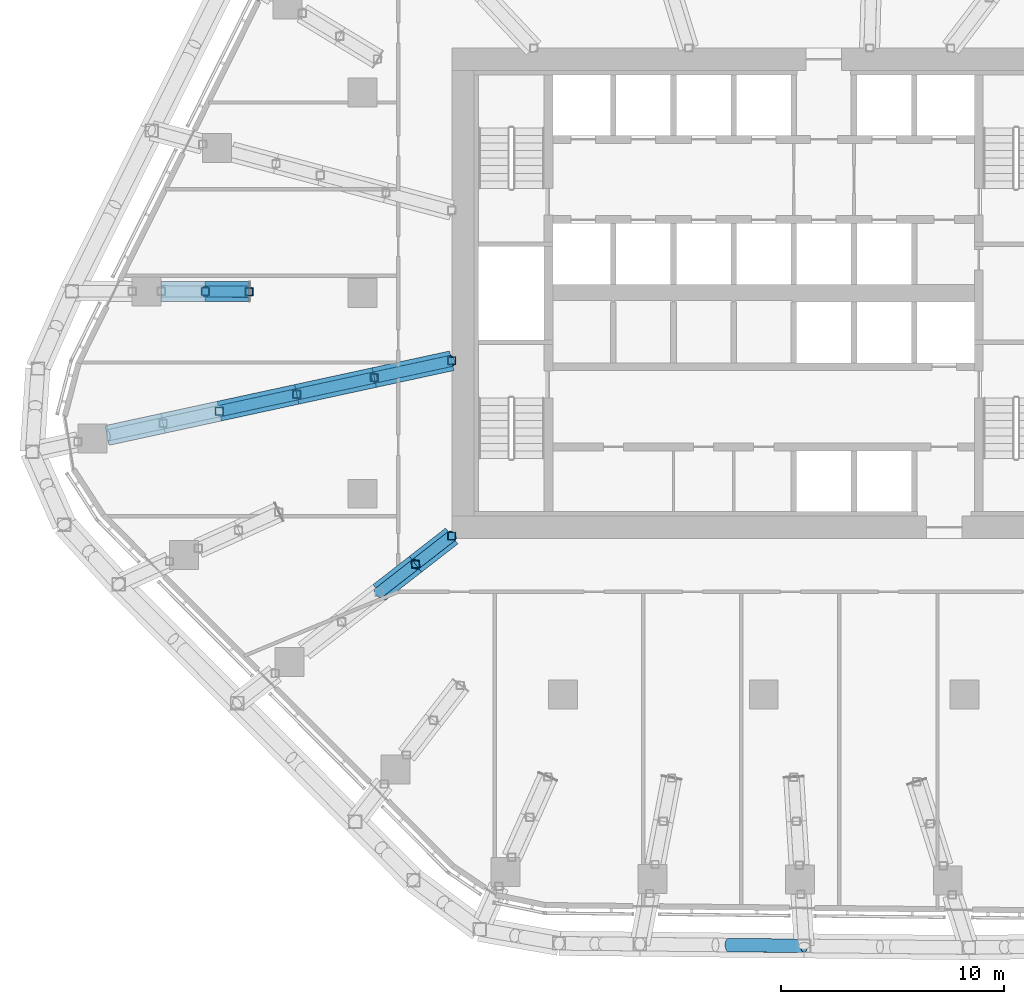
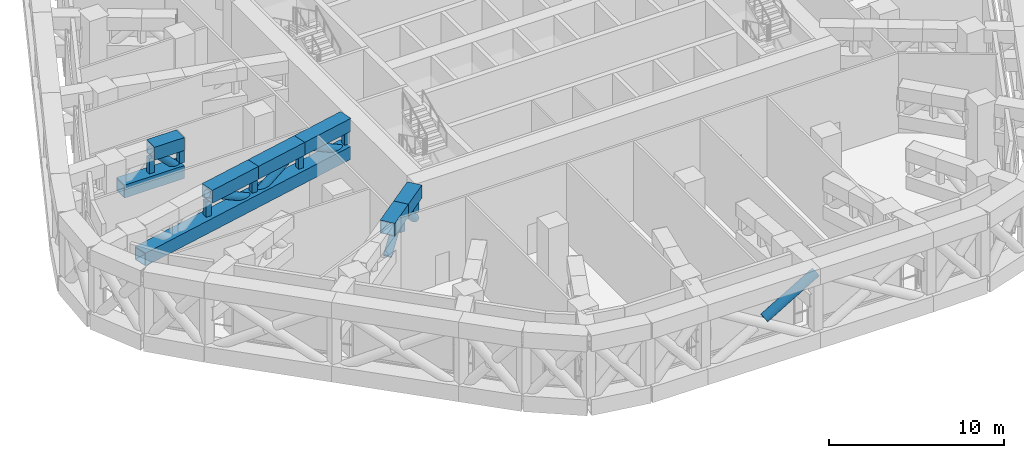
# One storey, part 5 of 30: 23 members.
"""IFC4 building model written with IfcOpenShell, lengths in metres."""

from ifc_helpers import new_model, si_unit, direction, frame, origin, origin_2d, place, context, subcontext, project, spatial, hollow_rectangle, hollow_circle, extrude, material, material_profile, profile_set, type_object, element, save


model = new_model("IFC4")

# Units and contexts
model_context = context("Model", 3, precision=1e-05, world=origin(), true_north=direction((0.0, 1.0)))
body_context = subcontext(model_context, "Body", "Model", "MODEL_VIEW")
ifc_project = project(units=[si_unit("LENGTHUNIT", "METRE"), si_unit("AREAUNIT", "SQUARE_METRE"), si_unit("VOLUMEUNIT", "CUBIC_METRE"), si_unit("PLANEANGLEUNIT", "RADIAN"), si_unit("MASSUNIT", "GRAM", prefix="KILO")], contexts=[model_context])

# Site, building, storey
site_placement = place(None, origin())
site = spatial("IfcSite", under=ifc_project, at=site_placement, CompositionType="ELEMENT")
building_placement = place(site_placement, origin())
building = spatial("IfcBuilding", under=site, at=building_placement, Name="Dongbaek Canopy Tower", CompositionType="ELEMENT")
storey_placement = place(building_placement, frame((0.0, 0.0, 145.60009765625)))
storey = spatial("IfcBuildingStorey", under=building, at=storey_placement, Name="L32", CompositionType="ELEMENT", Elevation=145.60009765625)

# Members
ifc_material_1 = material(Name="Steel S355", Category="steel")
ifc_material_profile_1 = material_profile(ifc_material_1, hollow_circle(Radius=0.304931640625, WallThickness=0.01611328125, at=origin_2d()), Name="BELT BRACE CHS 610.0x16.0 Steel S355")
ifc_profile_set_1 = profile_set([ifc_material_profile_1], Name="Steel S355")
member_type_1 = type_object("IfcMemberType", Name="BELT BRACE CHS 610.0x16.0 Steel S355", PredefinedType="BRACE", material=ifc_profile_set_1)
member_1_placement = place(storey_placement, frame((1.81298828125, -29.289794921875, 5.0), z_axis=(-0.855954001363, 0.008878295483, -0.51697574742), x_axis=(-0.010371839976, -0.999946211021, 0.0)))
element("IfcMember", 1, at=member_1_placement, inside=storey, type_object=member_type_1, Name="BELT:L32:2:D0:2", PredefinedType="BRACE", context=body_context, shape_type="SweptSolid", body=[
    extrude(hollow_circle(Radius=0.304931640625, WallThickness=0.01611328125, at=origin_2d()), origin(), (0.0, 0.0, 1.0), 3.959716796875),
])
ifc_material_2 = material(Name="Steel S355", Category="steel")
ifc_material_profile_2 = material_profile(ifc_material_2, hollow_circle(Radius=0.25390625, WallThickness=0.01611328125, at=origin_2d()), Name="BRACE CHS 508.0x16.0 Steel S355")
ifc_profile_set_2 = profile_set([ifc_material_profile_2], Name="Steel S355")
member_type_2 = type_object("IfcMemberType", Name="BRACE CHS 508.0x16.0 Steel S355", PredefinedType="BRACE", material=ifc_profile_set_2)
member_2_placement = place(storey_placement, frame((-23.093017578125, 0.069091796875, 3.14990234375), z_axis=(-0.71162065457, 0.002199074952, 0.702560465767), x_axis=(-0.003090220103, -0.999995225258, 0.0)))
element("IfcMember", 2, at=member_2_placement, inside=storey, type_object=member_type_2, Name="TRUSS:L32:9:D0", PredefinedType="BRACE", context=body_context, shape_type="SweptSolid", body=[
    extrude(hollow_circle(Radius=0.25390625, WallThickness=0.01611328125, at=origin_2d()), origin(), (0.0, 0.0, 1.0), 2.775390625),
])
ifc_material_3 = material(Name="Steel S355", Category="steel")
ifc_material_profile_3 = material_profile(ifc_material_3, hollow_rectangle(XDim=0.89990234375, YDim=0.89990234375, WallThickness=0.044921875, at=origin_2d()), Name="CHORD BOX 900x900x45 Steel S355")
ifc_profile_set_3 = profile_set([ifc_material_profile_3], Name="Steel S355")
member_type_3 = type_object("IfcMemberType", Name="CHORD BOX 900x900x45 Steel S355", PredefinedType="CHORD", material=ifc_profile_set_3)
member_3_placement = place(storey_placement, frame((-23.093017578125, 0.069091796875, 3.14990234375), z_axis=(-0.99999541377, 0.003028603454, 0.0), x_axis=(-0.003028603454, -0.99999541377, 0.0)))
element("IfcMember", 3, at=member_3_placement, inside=storey, type_object=member_type_3, Name="TRUSS:L32:9:CB", PredefinedType="CHORD", context=body_context, shape_type="SweptSolid", body=[
    extrude(hollow_rectangle(XDim=0.89990234375, YDim=0.89990234375, WallThickness=0.044921875, at=origin_2d()), origin(), (0.0, 0.0, 1.0), 3.949951171875),
])
member_4_placement = place(storey_placement, frame((-23.093017578125, 0.069091796875, 5.099853515625), z_axis=(-0.999995225258, 0.003090220103, 0.0), x_axis=(-0.003090220103, -0.999995225258, 0.0)))
element("IfcMember", 4, at=member_4_placement, inside=storey, type_object=member_type_3, Name="TRUSS:L32:9:CT0", PredefinedType="CHORD", context=body_context, shape_type="SweptSolid", body=[
    extrude(hollow_rectangle(XDim=0.89990234375, YDim=0.89990234375, WallThickness=0.044921875, at=origin_2d()), origin(), (0.0, 0.0, 1.0), 1.97509765625),
])
ifc_material_4 = material(Name="Steel S355", Category="steel")
ifc_material_profile_4 = material_profile(ifc_material_4, hollow_circle(Radius=0.25390625, WallThickness=0.01611328125, at=origin_2d()), Name="OUTRIGGER BRACE CHS 508.0x16.0 Steel S355")
ifc_profile_set_4 = profile_set([ifc_material_profile_4], Name="Steel S355")
member_type_4 = type_object("IfcMemberType", Name="OUTRIGGER BRACE CHS 508.0x16.0 Steel S355", PredefinedType="BRACE", material=ifc_profile_set_4)
for number, where, z_axis, x_axis, name in (
    (5, (-14.0, -10.896240234375, 3.14990234375), (-0.573650350292, -0.44648775016, 0.686712432221), (0.614210794262, -0.789142002565, 0.0), "TRUSS:L32:6:D0"),
    (6, (-15.62890625, -12.1640625, 5.099853515625), (-0.573708031354, -0.446465728581, -0.686678562329), (0.614153469341, -0.789186616775, 0.0), "TRUSS:L32:6:D1"),
):
    element("IfcMember", number, at=place(storey_placement, frame(where, z_axis=z_axis, x_axis=x_axis)), inside=storey, type_object=member_type_4, Name=name, PredefinedType="BRACE", context=body_context, shape_type="SweptSolid", body=[
        extrude(hollow_circle(Radius=0.25390625, WallThickness=0.01611328125, at=origin_2d()), origin(), (0.0, 0.0, 1.0), 2.839599609375),
    ])
for number, where, z_axis, x_axis, name in (
    (7, (-14.0, -3.033203125, 3.14990234375), (-0.857104877612, -0.185715080872, 0.480500923527), (0.211763175364, -0.977321010498, 0.0), "TRUSS:L32:8:D0"),
    (8, (-17.478271484375, -3.786865234375, 5.099853515625), (-0.857104877612, -0.185715080872, -0.480500923527), (0.211763175364, -0.977321010498, 0.0), "TRUSS:L32:8:D1"),
):
    element("IfcMember", number, at=place(storey_placement, frame(where, z_axis=z_axis, x_axis=x_axis)), inside=storey, type_object=member_type_4, Name=name, PredefinedType="BRACE", context=body_context, shape_type="SweptSolid", body=[
        extrude(hollow_circle(Radius=0.25390625, WallThickness=0.01611328125, at=origin_2d()), origin(), (0.0, 0.0, 1.0), 4.05810546875),
    ])
member_5_placement = place(storey_placement, frame((-20.95654296875, -4.54052734375, 3.14990234375), z_axis=(-0.85712084121, -0.185705505111, 0.480476148143), x_axis=(0.211748979133, -0.977324086389, 0.0)))
element("IfcMember", 9, at=member_5_placement, inside=storey, type_object=member_type_4, Name="TRUSS:L32:8:D2", PredefinedType="BRACE", context=body_context, shape_type="SweptSolid", body=[
    extrude(hollow_circle(Radius=0.25390625, WallThickness=0.01611328125, at=origin_2d()), origin(), (0.0, 0.0, 1.0), 4.058349609375),
])
ifc_material_5 = material(Name="Steel S355", Category="steel")
ifc_material_profile_5 = material_profile(ifc_material_5, hollow_rectangle(XDim=0.89990234375, YDim=0.89990234375, WallThickness=0.044921875, at=origin_2d()), Name="OUTRIGGER CHORD BOX 900x900x45 Steel S355")
ifc_profile_set_5 = profile_set([ifc_material_profile_5], Name="Steel S355")
member_type_5 = type_object("IfcMemberType", Name="OUTRIGGER CHORD BOX 900x900x45 Steel S355", PredefinedType="CHORD", material=ifc_profile_set_5)
member_6_placement = place(storey_placement, frame((-14.0, -10.896240234375, 5.099853515625), z_axis=(-0.789142002565, -0.614210794262, 0.0), x_axis=(0.614210794262, -0.789142002565, 0.0)))
element("IfcMember", 10, at=member_6_placement, inside=storey, type_object=member_type_5, Name="TRUSS:L32:6:CT0", PredefinedType="CHORD", context=body_context, shape_type="SweptSolid", body=[
    extrude(hollow_rectangle(XDim=0.89990234375, YDim=0.89990234375, WallThickness=0.044921875, at=origin_2d()), origin(), (0.0, 0.0, 1.0), 2.064208984375),
])
member_7_placement = place(storey_placement, frame((-15.62890625, -12.1640625, 5.099853515625), z_axis=(-0.789186616775, -0.614153469341, 0.0), x_axis=(0.614153469341, -0.789186616775, 0.0)))
element("IfcMember", 11, at=member_7_placement, inside=storey, type_object=member_type_5, Name="TRUSS:L32:6:CT1", PredefinedType="CHORD", context=body_context, shape_type="SweptSolid", body=[
    extrude(hollow_rectangle(XDim=0.89990234375, YDim=0.89990234375, WallThickness=0.044921875, at=origin_2d()), origin(), (0.0, 0.0, 1.0), 2.064453125),
])
member_8_placement = place(storey_placement, frame((-14.0, -3.033203125, 3.14990234375), z_axis=(-0.977321970016, -0.211758746982, 0.0), x_axis=(0.211758746982, -0.977321970016, 0.0)))
element("IfcMember", 12, at=member_8_placement, inside=storey, type_object=member_type_5, Name="TRUSS:L32:8:CB", PredefinedType="CHORD", context=body_context, shape_type="SweptSolid", body=[
    extrude(hollow_rectangle(XDim=0.89990234375, YDim=0.89990234375, WallThickness=0.044921875, at=origin_2d()), origin(), (0.0, 0.0, 1.0), 15.834228515625),
])
for number, where, z_axis, x_axis, name in (
    (13, (-14.0, -3.033203125, 5.099853515625), (-0.977321010498, -0.211763175364, 0.0), (0.211763175364, -0.977321010498, 0.0), "TRUSS:L32:8:CT0"),
    (14, (-17.478271484375, -3.786865234375, 5.099853515625), (-0.977321010498, -0.211763175364, 0.0), (0.211763175364, -0.977321010498, 0.0), "TRUSS:L32:8:CT1"),
):
    element("IfcMember", number, at=place(storey_placement, frame(where, z_axis=z_axis, x_axis=x_axis)), inside=storey, type_object=member_type_5, Name=name, PredefinedType="CHORD", context=body_context, shape_type="SweptSolid", body=[
        extrude(hollow_rectangle(XDim=0.89990234375, YDim=0.89990234375, WallThickness=0.044921875, at=origin_2d()), origin(), (0.0, 0.0, 1.0), 3.55908203125),
    ])
member_9_placement = place(storey_placement, frame((-20.95654296875, -4.54052734375, 5.099853515625), z_axis=(-0.977324086389, -0.211748979133, 0.0), x_axis=(0.211748979133, -0.977324086389, 0.0)))
element("IfcMember", 15, at=member_9_placement, inside=storey, type_object=member_type_5, Name="TRUSS:L32:8:CT2", PredefinedType="CHORD", context=body_context, shape_type="SweptSolid", body=[
    extrude(hollow_rectangle(XDim=0.89990234375, YDim=0.89990234375, WallThickness=0.044921875, at=origin_2d()), origin(), (0.0, 0.0, 1.0), 3.559326171875),
])
ifc_material_6 = material(Name="Steel S355", Category="steel")
ifc_material_profile_6 = material_profile(ifc_material_6, hollow_rectangle(XDim=0.35009765625, YDim=0.35009765625, WallThickness=0.01611328125, at=origin_2d()), Name="OUTRIGGER POST SHS 350x350x16 Steel S355")
ifc_profile_set_6 = profile_set([ifc_material_profile_6], Name="Steel S355")
member_type_6 = type_object("IfcMemberType", Name="OUTRIGGER POST SHS 350x350x16 Steel S355", PredefinedType="POST", material=ifc_profile_set_6)
for number, where, z_axis, x_axis, name in (
    (16, (-14.0, -10.896240234375, 3.599853515625), (0.0, 0.0, 1.0), (1.0, 0.0, 0.0), "TRUSS:L32:6:P0"),
    (17, (-15.62890625, -12.1640625, 3.599853515625), (0.0, 0.0, 1.0), (1.0, 0.0, 0.0), "TRUSS:L32:6:P1"),
    (18, (-14.0, -3.033203125, 3.599853515625), (0.0, 0.0, 1.0), (1.0, 0.0, 0.0), "TRUSS:L32:8:P0"),
    (19, (-17.478271484375, -3.786865234375, 3.599853515625), (0.0, 0.0, 1.0), (1.0, 0.0, 0.0), "TRUSS:L32:8:P1"),
    (20, (-20.95654296875, -4.54052734375, 3.599853515625), (0.0, 0.0, 1.0), (1.0, 0.0, 0.0), "TRUSS:L32:8:P2"),
    (21, (-24.43505859375, -5.294189453125, 3.599853515625), (0.0, 0.0, 1.0), (1.0, 0.0, 0.0), "TRUSS:L32:8:P3"),
):
    element("IfcMember", number, at=place(storey_placement, frame(where, z_axis=z_axis, x_axis=x_axis)), inside=storey, type_object=member_type_6, Name=name, PredefinedType="POST", context=body_context, shape_type="SweptSolid", body=[
        extrude(hollow_rectangle(XDim=0.35009765625, YDim=0.35009765625, WallThickness=0.01611328125, at=origin_2d()), origin(), (0.0, 0.0, 1.0), 1.050048828125),
    ])
ifc_material_7 = material(Name="Steel S355", Category="steel")
ifc_material_profile_7 = material_profile(ifc_material_7, hollow_rectangle(XDim=0.35009765625, YDim=0.35009765625, WallThickness=0.01611328125, at=origin_2d()), Name="POST SHS 350x350x16 Steel S355")
ifc_profile_set_7 = profile_set([ifc_material_profile_7], Name="Steel S355")
member_type_7 = type_object("IfcMemberType", Name="POST SHS 350x350x16 Steel S355", PredefinedType="POST", material=ifc_profile_set_7)
for number, where, z_axis, x_axis, name in (
    (22, (-23.093017578125, 0.069091796875, 3.599853515625), (0.0, 0.0, 1.0), (1.0, 0.0, 0.0), "TRUSS:L32:9:P0"),
    (23, (-25.068115234375, 0.0751953125, 3.599853515625), (0.0, 0.0, 1.0), (1.0, 0.0, 0.0), "TRUSS:L32:9:P1"),
):
    element("IfcMember", number, at=place(storey_placement, frame(where, z_axis=z_axis, x_axis=x_axis)), inside=storey, type_object=member_type_7, Name=name, PredefinedType="POST", context=body_context, shape_type="SweptSolid", body=[
        extrude(hollow_rectangle(XDim=0.35009765625, YDim=0.35009765625, WallThickness=0.01611328125, at=origin_2d()), origin(), (0.0, 0.0, 1.0), 1.050048828125),
    ])

save(model, "model.ifc")
